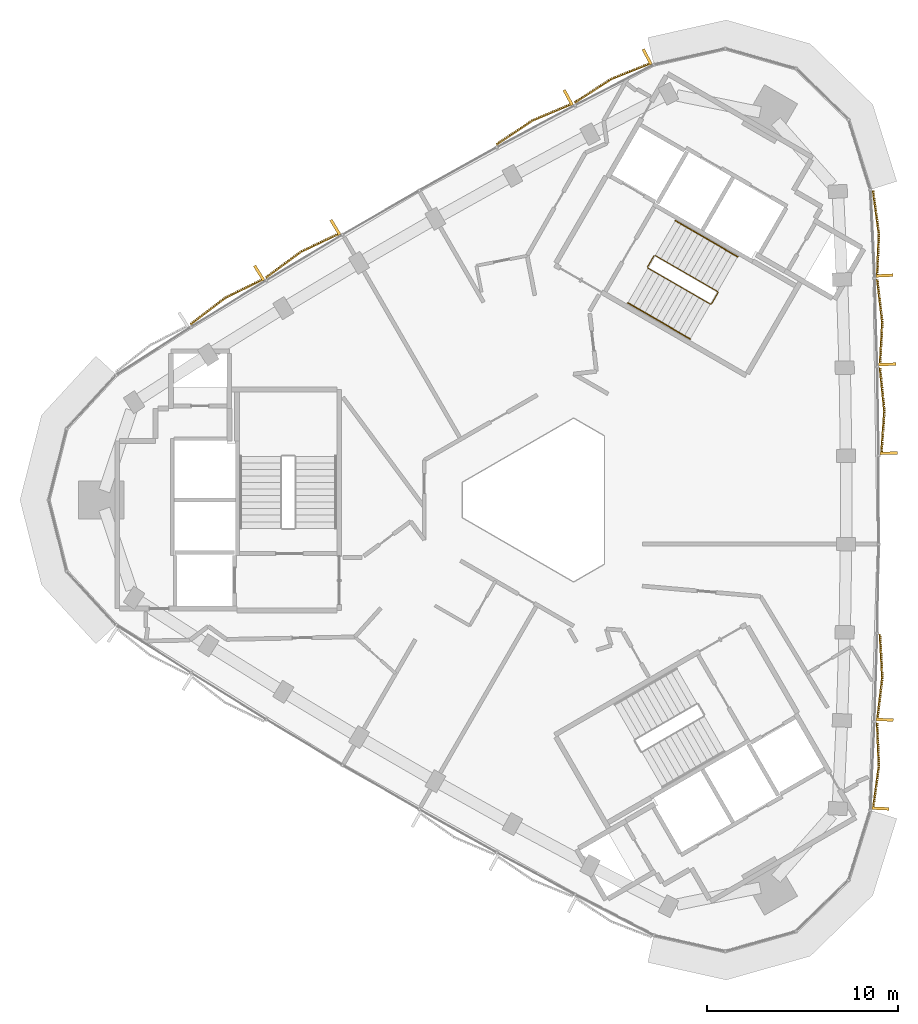
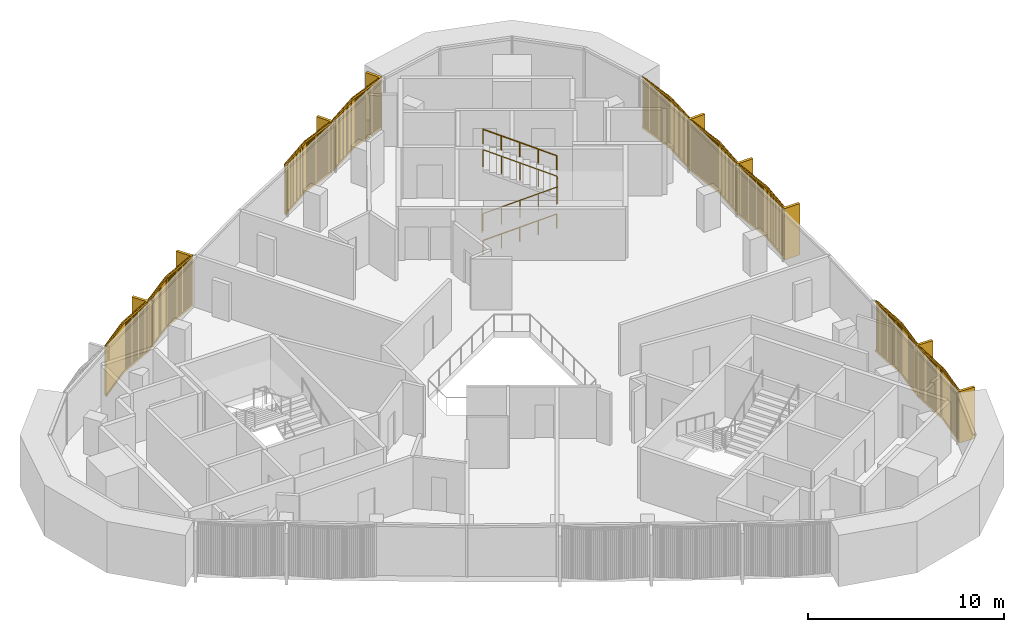
# One storey, part 12 of 13: 9 coverings, 3 railings.
"""IFC4 building model written with IfcOpenShell, lengths in metres."""

from ifc_helpers import new_model, si_unit, direction, frame, frame_2d, origin, origin_2d, place, context, subcontext, project, spatial, rectangle, circle, extrude, source, transform, mapped, material, type_object, element, save


model = new_model("IFC4")

# Units and contexts
model_context = context("Model", 3, precision=1e-05, world=origin(), true_north=direction((0.0, 1.0)))
body_context = subcontext(model_context, "Body", "Model", "MODEL_VIEW")
ifc_project = project(units=[si_unit("LENGTHUNIT", "METRE"), si_unit("AREAUNIT", "SQUARE_METRE"), si_unit("VOLUMEUNIT", "CUBIC_METRE"), si_unit("PLANEANGLEUNIT", "RADIAN"), si_unit("MASSUNIT", "GRAM", prefix="KILO")], contexts=[model_context])

# Site, building, storey
site_placement = place(None, origin())
site = spatial("IfcSite", under=ifc_project, at=site_placement, CompositionType="ELEMENT")
building_placement = place(site_placement, origin())
building = spatial("IfcBuilding", under=site, at=building_placement, Name="Tamra Quay Hotel Tower", CompositionType="ELEMENT")
storey_placement = place(building_placement, frame((0.0, 0.0, 298.199951171875)))
storey = spatial("IfcBuildingStorey", under=building, at=storey_placement, Name="L75", CompositionType="ELEMENT", Elevation=298.199951171875)

# Railings
ifc_material_1 = material(Name="Stair guard 1100")
railing_type_1 = type_object("IfcRailingType", Name="Stair guard 1100", PredefinedType="GUARDRAIL", material=ifc_material_1)
railing_1_placement = place(storey_placement, frame((5.595458984375, 12.751953125, 0.0)))
element("IfcRailing", 1, at=railing_1_placement, inside=storey, type_object=railing_type_1, Name="GR", PredefinedType="GUARDRAIL", context=body_context, shape_type="SweptSolid", body=[
    extrude(circle(Radius=0.02392578125, at=origin_2d()), frame((0.0, 0.0, 1.076171875), z_axis=(-0.499765215335, -0.866160914346, 0.0), x_axis=(0.866160914346, -0.499765215335, 0.0)), (0.0, 0.0, 1.0), 0.658935546875),
    extrude(circle(Radius=0.02392578125, at=origin_2d()), frame((-0.329345703125, -0.57080078125, 1.076171875), z_axis=(0.110378772244, -0.410609032747, 0.905105932399), x_axis=(0.965715946433, 0.259601060869, 0.0)), (0.0, 0.0, 1.0), 0.165771484375),
    extrude(circle(Radius=0.02392578125, at=origin_2d()), frame((-0.31103515625, -0.638916015625, 1.22607421875), z_axis=(0.793078462799, -0.457933869594, 0.401650498471), x_axis=(0.500040788363, 0.866001853331, 0.0)), (0.0, 0.0, 1.0), 4.10791015625),
    extrude(circle(Radius=0.02392578125, at=origin_2d()), frame((2.94677734375, -2.52001953125, 2.8759765625), z_axis=(0.965948051503, 0.258736085224, 0.0), x_axis=(-0.258736085224, 0.965948051503, 0.0)), (0.0, 0.0, 1.0), 0.07080078125),
    extrude(circle(Radius=0.02392578125, at=origin_2d()), frame((3.01513671875, -2.501708984375, 2.8759765625), z_axis=(0.500043078269, 0.866000531106, 0.0), x_axis=(-0.866000531106, 0.500043078269, 0.0)), (0.0, 0.0, 1.0), 0.6591796875),
    extrude(circle(Radius=0.02392578125, at=origin_2d()), frame((3.3447265625, -1.930908203125, 2.8759765625), z_axis=(-0.110525977783, 0.411156637351, 0.904839338113), x_axis=(-0.965715946433, -0.259601060869, 0.0)), (0.0, 0.0, 1.0), 0.165771484375),
    extrude(circle(Radius=0.02392578125, at=origin_2d()), frame((3.326416015625, -1.86279296875, 3.02587890625), z_axis=(-0.793081581205, 0.457901355053, 0.401681409319), x_axis=(-0.500012686397, -0.866018079166, 0.0)), (0.0, 0.0, 1.0), 4.108154296875),
    extrude(circle(Radius=0.02099609375, at=origin_2d()), origin(), (0.0, 0.0, 1.0), 1.052001953125),
    extrude(circle(Radius=0.02099609375, at=origin_2d()), frame((-0.329345703125, -0.57080078125, 0.0)), (0.0, 0.0, 1.0), 1.052001953125),
    extrude(circle(Radius=0.02099609375, at=origin_2d()), frame((-0.31103515625, -0.638916015625, 0.150146484375)), (0.0, 0.0, 1.0), 1.052001953125),
    extrude(circle(Radius=0.02099609375, at=origin_2d()), frame((0.50341796875, -1.109130859375, 0.5625)), (0.0, 0.0, 1.0), 1.052001953125),
    extrude(circle(Radius=0.02099609375, at=origin_2d()), frame((1.31787109375, -1.57958984375, 0.97509765625)), (0.0, 0.0, 1.0), 1.052001953125),
    extrude(circle(Radius=0.02099609375, at=origin_2d()), frame((2.13232421875, -2.0498046875, 1.3876953125)), (0.0, 0.0, 1.0), 1.052001953125),
    extrude(circle(Radius=0.02099609375, at=origin_2d()), frame((2.94677734375, -2.52001953125, 1.800048828125)), (0.0, 0.0, 1.0), 1.052001953125),
    extrude(circle(Radius=0.02099609375, at=origin_2d()), frame((3.01513671875, -2.501708984375, 1.800048828125)), (0.0, 0.0, 1.0), 1.052001953125),
    extrude(circle(Radius=0.02099609375, at=origin_2d()), frame((3.3447265625, -1.930908203125, 1.800048828125)), (0.0, 0.0, 1.0), 1.052001953125),
    extrude(circle(Radius=0.02099609375, at=origin_2d()), frame((3.326416015625, -1.86279296875, 1.949951171875)), (0.0, 0.0, 1.0), 1.052001953125),
    extrude(circle(Radius=0.02099609375, at=origin_2d()), frame((2.511962890625, -1.392578125, 2.362548828125)), (0.0, 0.0, 1.0), 1.052001953125),
    extrude(circle(Radius=0.02099609375, at=origin_2d()), frame((1.697265625, -0.92236328125, 2.77490234375)), (0.0, 0.0, 1.0), 1.052001953125),
    extrude(circle(Radius=0.02099609375, at=origin_2d()), frame((0.8828125, -0.451904296875, 3.1875)), (0.0, 0.0, 1.0), 1.052001953125),
    extrude(circle(Radius=0.02099609375, at=origin_2d()), frame((0.068359375, 0.018310546875, 3.60009765625)), (0.0, 0.0, 1.0), 1.052001953125),
])
ifc_material_2 = material(Name="Stair handrail 900")
railing_type_2 = type_object("IfcRailingType", Name="Stair handrail 900", PredefinedType="HANDRAIL", material=ifc_material_2)
railing_2_placement = place(storey_placement, frame((4.234375, 10.294189453125, 0.150146484375)))
element("IfcRailing", 2, at=railing_2_placement, inside=storey, type_object=railing_type_2, Name="HR", PredefinedType="HANDRAIL", context=body_context, shape_type="SweptSolid", body=[
    extrude(circle(Radius=0.02392578125, at=origin_2d()), frame((0.0, 0.0, 0.8759765625), z_axis=(0.793122095483, -0.45786531462, 0.401642496911), x_axis=(0.499964013922, 0.86604617936, 0.0)), (0.0, 0.0, 1.0), 4.10791015625),
    extrude(circle(Radius=0.02099609375, at=origin_2d()), origin(), (0.0, 0.0, 1.0), 0.851806640625),
    extrude(circle(Radius=0.02099609375, at=origin_2d()), frame((0.814453125, -0.47021484375, 0.41259765625)), (0.0, 0.0, 1.0), 0.851806640625),
    extrude(circle(Radius=0.02099609375, at=origin_2d()), frame((1.62890625, -0.9404296875, 0.824951171875)), (0.0, 0.0, 1.0), 0.851806640625),
    extrude(circle(Radius=0.02099609375, at=origin_2d()), frame((2.443603515625, -1.41064453125, 1.2373046875)), (0.0, 0.0, 1.0), 0.851806640625),
    extrude(circle(Radius=0.02099609375, at=origin_2d()), frame((3.258056640625, -1.880859375, 1.64990234375)), (0.0, 0.0, 1.0), 0.851806640625),
])
railing_3_placement = place(storey_placement, frame((9.971923828125, 12.7080078125, 1.949951171875)))
element("IfcRailing", 3, at=railing_3_placement, inside=storey, type_object=railing_type_2, Name="HR", PredefinedType="HANDRAIL", context=body_context, shape_type="SweptSolid", body=[
    extrude(circle(Radius=0.02392578125, at=origin_2d()), frame((0.0, 0.0, 0.8759765625), z_axis=(-0.793103162556, 0.457854384738, 0.401692339881), x_axis=(-0.499964013922, -0.86604617936, 0.0)), (0.0, 0.0, 1.0), 4.10791015625),
    extrude(circle(Radius=0.02099609375, at=origin_2d()), origin(), (0.0, 0.0, 1.0), 0.851806640625),
    extrude(circle(Radius=0.02099609375, at=origin_2d()), frame((-0.814453125, 0.47021484375, 0.41259765625)), (0.0, 0.0, 1.0), 0.851806640625),
    extrude(circle(Radius=0.02099609375, at=origin_2d()), frame((-1.62890625, 0.9404296875, 0.8251953125)), (0.0, 0.0, 1.0), 0.851806640625),
    extrude(circle(Radius=0.02099609375, at=origin_2d()), frame((-2.443603515625, 1.41064453125, 1.237548828125)), (0.0, 0.0, 1.0), 0.851806640625),
    extrude(circle(Radius=0.02099609375, at=origin_2d()), frame((-3.258056640625, 1.880859375, 1.650146484375)), (0.0, 0.0, 1.0), 0.851806640625),
])

# Coverings
ifc_material_3 = material(Name="Terracotta baguette extruded", Category="masonry")
covering_type_1 = type_object("IfcCoveringType", Name="BAGUETTE SCREEN E-V H3200", PredefinedType="USERDEFINED", material=ifc_material_3)
shared_shape_1 = source(origin(), body_context, "Body", "SweptSolid", [
    extrude(rectangle(XDim=2.28125, YDim=0.06005859375, at=frame_2d((1.140625, 0.030029296875))), frame((-2.27783203125, -0.057861328125, -0.1201171875), z_axis=(0.0, 0.0, 1.0), x_axis=(0.996194698092, -0.087155742748, 0.0)), (0.0, 0.0, 1.0), 0.1201171875),
    extrude(rectangle(XDim=2.28125, YDim=0.06005859375, at=frame_2d((1.140625, 0.030029296875))), frame((-2.27783203125, -0.057861328125, -3.199951171875), z_axis=(0.0, 0.0, 1.0), x_axis=(0.996194698092, -0.087155742748, 0.0)), (0.0, 0.0, 1.0), 0.1201171875),
    extrude(rectangle(XDim=0.070068359375, YDim=0.10009765625, at=frame_2d((0.03515625, 0.050048828125))), frame((-2.258056640625, -0.13232421875, -3.139892578125)), (0.0, 0.0, 1.0), 3.080078125),
    extrude(rectangle(XDim=0.070068359375, YDim=0.10009765625, at=frame_2d((0.03515625, 0.050048828125))), frame((-2.1591796875, -0.140869140625, -3.139892578125)), (0.0, 0.0, 1.0), 3.080078125),
    extrude(rectangle(XDim=0.070068359375, YDim=0.10009765625, at=frame_2d((0.03515625, 0.050048828125))), frame((-2.060546875, -0.149658203125, -3.139892578125)), (0.0, 0.0, 1.0), 3.080078125),
    extrude(rectangle(XDim=0.070068359375, YDim=0.10009765625, at=frame_2d((0.03515625, 0.050048828125))), frame((-1.961669921875, -0.158203125, -3.139892578125)), (0.0, 0.0, 1.0), 3.080078125),
    extrude(rectangle(XDim=0.070068359375, YDim=0.10009765625, at=frame_2d((0.03515625, 0.050048828125))), frame((-1.86279296875, -0.1669921875, -3.139892578125)), (0.0, 0.0, 1.0), 3.080078125),
    extrude(rectangle(XDim=0.070068359375, YDim=0.10009765625, at=frame_2d((0.03515625, 0.050048828125))), frame((-1.76416015625, -0.175537109375, -3.139892578125)), (0.0, 0.0, 1.0), 3.080078125),
    extrude(rectangle(XDim=0.070068359375, YDim=0.10009765625, at=frame_2d((0.03515625, 0.050048828125))), frame((-1.665283203125, -0.18408203125, -3.139892578125)), (0.0, 0.0, 1.0), 3.080078125),
    extrude(rectangle(XDim=0.070068359375, YDim=0.10009765625, at=frame_2d((0.03515625, 0.050048828125))), frame((-1.56640625, -0.19287109375, -3.139892578125)), (0.0, 0.0, 1.0), 3.080078125),
    extrude(rectangle(XDim=0.070068359375, YDim=0.10009765625, at=frame_2d((0.03515625, 0.050048828125))), frame((-1.4677734375, -0.201416015625, -3.139892578125)), (0.0, 0.0, 1.0), 3.080078125),
    extrude(rectangle(XDim=0.070068359375, YDim=0.10009765625, at=frame_2d((0.03515625, 0.050048828125))), frame((-1.368896484375, -0.210205078125, -3.139892578125)), (0.0, 0.0, 1.0), 3.080078125),
    extrude(rectangle(XDim=0.070068359375, YDim=0.10009765625, at=frame_2d((0.03515625, 0.050048828125))), frame((-1.27001953125, -0.21875, -3.139892578125)), (0.0, 0.0, 1.0), 3.080078125),
    extrude(rectangle(XDim=0.070068359375, YDim=0.10009765625, at=frame_2d((0.03515625, 0.050048828125))), frame((-1.171142578125, -0.227294921875, -3.139892578125)), (0.0, 0.0, 1.0), 3.080078125),
    extrude(rectangle(XDim=0.070068359375, YDim=0.10009765625, at=frame_2d((0.03515625, 0.050048828125))), frame((-1.072509765625, -0.236083984375, -3.139892578125)), (0.0, 0.0, 1.0), 3.080078125),
    extrude(rectangle(XDim=0.070068359375, YDim=0.10009765625, at=frame_2d((0.03515625, 0.050048828125))), frame((-0.9736328125, -0.24462890625, -3.139892578125)), (0.0, 0.0, 1.0), 3.080078125),
    extrude(rectangle(XDim=0.070068359375, YDim=0.10009765625, at=frame_2d((0.03515625, 0.050048828125))), frame((-0.874755859375, -0.25341796875, -3.139892578125)), (0.0, 0.0, 1.0), 3.080078125),
    extrude(rectangle(XDim=0.070068359375, YDim=0.10009765625, at=frame_2d((0.03515625, 0.050048828125))), frame((-0.776123046875, -0.261962890625, -3.139892578125)), (0.0, 0.0, 1.0), 3.080078125),
    extrude(rectangle(XDim=0.070068359375, YDim=0.10009765625, at=frame_2d((0.03515625, 0.050048828125))), frame((-0.67724609375, -0.270751953125, -3.139892578125)), (0.0, 0.0, 1.0), 3.080078125),
    extrude(rectangle(XDim=0.070068359375, YDim=0.10009765625, at=frame_2d((0.03515625, 0.050048828125))), frame((-0.578369140625, -0.279296875, -3.139892578125)), (0.0, 0.0, 1.0), 3.080078125),
    extrude(rectangle(XDim=0.070068359375, YDim=0.10009765625, at=frame_2d((0.03515625, 0.050048828125))), frame((-0.479736328125, -0.287841796875, -3.139892578125)), (0.0, 0.0, 1.0), 3.080078125),
    extrude(rectangle(XDim=0.070068359375, YDim=0.10009765625, at=frame_2d((0.03515625, 0.050048828125))), frame((-0.380859375, -0.296630859375, -3.139892578125)), (0.0, 0.0, 1.0), 3.080078125),
    extrude(rectangle(XDim=0.070068359375, YDim=0.10009765625, at=frame_2d((0.03515625, 0.050048828125))), frame((-0.281982421875, -0.30517578125, -3.139892578125)), (0.0, 0.0, 1.0), 3.080078125),
    extrude(rectangle(XDim=0.070068359375, YDim=0.10009765625, at=frame_2d((0.03515625, 0.050048828125))), frame((-0.18310546875, -0.31396484375, -3.139892578125)), (0.0, 0.0, 1.0), 3.080078125),
    extrude(rectangle(XDim=0.070068359375, YDim=0.10009765625, at=frame_2d((0.03515625, 0.050048828125))), frame((-0.08447265625, -0.322509765625, -3.139892578125)), (0.0, 0.0, 1.0), 3.080078125),
    extrude(rectangle(XDim=2.28125, YDim=0.06005859375, at=frame_2d((1.140625, 0.030029296875))), frame((0.005126953125, -0.256591796875, -0.1201171875), z_axis=(0.0, 0.0, 1.0), x_axis=(0.996194698092, 0.087155742748, 0.0)), (0.0, 0.0, 1.0), 0.1201171875),
    extrude(rectangle(XDim=2.28125, YDim=0.06005859375, at=frame_2d((1.140625, 0.030029296875))), frame((0.005126953125, -0.256591796875, -3.199951171875), z_axis=(0.0, 0.0, 1.0), x_axis=(0.996194698092, 0.087155742748, 0.0)), (0.0, 0.0, 1.0), 0.1201171875),
    extrude(rectangle(XDim=0.070068359375, YDim=0.10009765625, at=frame_2d((0.03515625, 0.050048828125))), frame((0.014404296875, -0.322509765625, -3.139892578125)), (0.0, 0.0, 1.0), 3.080078125),
    extrude(rectangle(XDim=0.070068359375, YDim=0.10009765625, at=frame_2d((0.03515625, 0.050048828125))), frame((0.11328125, -0.31396484375, -3.139892578125)), (0.0, 0.0, 1.0), 3.080078125),
    extrude(rectangle(XDim=0.070068359375, YDim=0.10009765625, at=frame_2d((0.03515625, 0.050048828125))), frame((0.2119140625, -0.30517578125, -3.139892578125)), (0.0, 0.0, 1.0), 3.080078125),
    extrude(rectangle(XDim=0.070068359375, YDim=0.10009765625, at=frame_2d((0.03515625, 0.050048828125))), frame((0.310791015625, -0.296630859375, -3.139892578125)), (0.0, 0.0, 1.0), 3.080078125),
    extrude(rectangle(XDim=0.070068359375, YDim=0.10009765625, at=frame_2d((0.03515625, 0.050048828125))), frame((0.40966796875, -0.287841796875, -3.139892578125)), (0.0, 0.0, 1.0), 3.080078125),
    extrude(rectangle(XDim=0.070068359375, YDim=0.10009765625, at=frame_2d((0.03515625, 0.050048828125))), frame((0.50830078125, -0.279296875, -3.139892578125)), (0.0, 0.0, 1.0), 3.080078125),
    extrude(rectangle(XDim=0.070068359375, YDim=0.10009765625, at=frame_2d((0.03515625, 0.050048828125))), frame((0.607177734375, -0.270751953125, -3.139892578125)), (0.0, 0.0, 1.0), 3.080078125),
    extrude(rectangle(XDim=0.070068359375, YDim=0.10009765625, at=frame_2d((0.03515625, 0.050048828125))), frame((0.7060546875, -0.261962890625, -3.139892578125)), (0.0, 0.0, 1.0), 3.080078125),
    extrude(rectangle(XDim=0.070068359375, YDim=0.10009765625, at=frame_2d((0.03515625, 0.050048828125))), frame((0.804931640625, -0.25341796875, -3.139892578125)), (0.0, 0.0, 1.0), 3.080078125),
    extrude(rectangle(XDim=0.070068359375, YDim=0.10009765625, at=frame_2d((0.03515625, 0.050048828125))), frame((0.903564453125, -0.24462890625, -3.139892578125)), (0.0, 0.0, 1.0), 3.080078125),
    extrude(rectangle(XDim=0.070068359375, YDim=0.10009765625, at=frame_2d((0.03515625, 0.050048828125))), frame((1.00244140625, -0.236083984375, -3.139892578125)), (0.0, 0.0, 1.0), 3.080078125),
    extrude(rectangle(XDim=0.070068359375, YDim=0.10009765625, at=frame_2d((0.03515625, 0.050048828125))), frame((1.101318359375, -0.227294921875, -3.139892578125)), (0.0, 0.0, 1.0), 3.080078125),
    extrude(rectangle(XDim=0.070068359375, YDim=0.10009765625, at=frame_2d((0.03515625, 0.050048828125))), frame((1.199951171875, -0.21875, -3.139892578125)), (0.0, 0.0, 1.0), 3.080078125),
    extrude(rectangle(XDim=0.070068359375, YDim=0.10009765625, at=frame_2d((0.03515625, 0.050048828125))), frame((1.298828125, -0.210205078125, -3.139892578125)), (0.0, 0.0, 1.0), 3.080078125),
    extrude(rectangle(XDim=0.070068359375, YDim=0.10009765625, at=frame_2d((0.03515625, 0.050048828125))), frame((1.397705078125, -0.201416015625, -3.139892578125)), (0.0, 0.0, 1.0), 3.080078125),
    extrude(rectangle(XDim=0.070068359375, YDim=0.10009765625, at=frame_2d((0.03515625, 0.050048828125))), frame((1.49658203125, -0.19287109375, -3.139892578125)), (0.0, 0.0, 1.0), 3.080078125),
    extrude(rectangle(XDim=0.070068359375, YDim=0.10009765625, at=frame_2d((0.03515625, 0.050048828125))), frame((1.59521484375, -0.18408203125, -3.139892578125)), (0.0, 0.0, 1.0), 3.080078125),
    extrude(rectangle(XDim=0.070068359375, YDim=0.10009765625, at=frame_2d((0.03515625, 0.050048828125))), frame((1.694091796875, -0.175537109375, -3.139892578125)), (0.0, 0.0, 1.0), 3.080078125),
    extrude(rectangle(XDim=0.070068359375, YDim=0.10009765625, at=frame_2d((0.03515625, 0.050048828125))), frame((1.79296875, -0.1669921875, -3.139892578125)), (0.0, 0.0, 1.0), 3.080078125),
    extrude(rectangle(XDim=0.070068359375, YDim=0.10009765625, at=frame_2d((0.03515625, 0.050048828125))), frame((1.8916015625, -0.158203125, -3.139892578125)), (0.0, 0.0, 1.0), 3.080078125),
    extrude(rectangle(XDim=0.070068359375, YDim=0.10009765625, at=frame_2d((0.03515625, 0.050048828125))), frame((1.990478515625, -0.149658203125, -3.139892578125)), (0.0, 0.0, 1.0), 3.080078125),
    extrude(rectangle(XDim=0.070068359375, YDim=0.10009765625, at=frame_2d((0.03515625, 0.050048828125))), frame((2.08935546875, -0.140869140625, -3.139892578125)), (0.0, 0.0, 1.0), 3.080078125),
    extrude(rectangle(XDim=0.070068359375, YDim=0.10009765625, at=frame_2d((0.03515625, 0.050048828125))), frame((2.18798828125, -0.13232421875, -3.139892578125)), (0.0, 0.0, 1.0), 3.080078125),
    extrude(rectangle(XDim=0.14990234375, YDim=0.902099609375, at=frame_2d((0.074951171875, 0.451171875))), frame((-2.2724609375, -0.89990234375, -3.199951171875)), (0.0, 0.0, 1.0), 3.199951171875),
])
for number, where, z_axis, x_axis, name in (
    (4, (17.08642578125, -13.899169921875, 3.199951171875), (0.0, 0.0, 1.0), (0.04682126455, 0.998903283199, 0.0), "Baguette screen L75.E.f00"),
    (5, (17.267333984375, -9.26806640625, 3.199951171875), (0.0, 0.0, 1.0), (0.031241804319, 0.999511855689, 0.0), "Baguette screen L75.E.f01"),
    (6, (17.3759765625, 4.634765625, 3.199951171875), (0.0, 0.0, 1.0), (-0.01563239478, 0.999877806651, 0.0), "Baguette screen L75.E.f04"),
    (7, (17.267333984375, 9.26806640625, 3.199951171875), (0.0, 0.0, 1.0), (-0.031241804319, 0.999511855689, 0.0), "Baguette screen L75.E.f05"),
    (8, (17.08642578125, 13.899169921875, 3.199951171875), (0.0, 0.0, 1.0), (-0.04682126455, 0.998903283199, 0.0), "Baguette screen L75.E.f06"),
):
    element("IfcCovering", number, at=place(storey_placement, frame(where, z_axis=z_axis, x_axis=x_axis)), inside=storey, type_object=covering_type_1, Name=name, ObjectType="BAGUETTE SCREEN", PredefinedType="USERDEFINED", context=body_context, shape_type="MappedRepresentation", body=[
        mapped(shared_shape_1, transform((0.0, 0.0, 0.0), scale=1.0)),
    ])
covering_type_2 = type_object("IfcCoveringType", Name="BAGUETTE SCREEN NW-V H3200", PredefinedType="USERDEFINED", material=ifc_material_3)
shared_shape_2 = source(origin(), body_context, "Body", "SweptSolid", [
    extrude(rectangle(XDim=2.282958984375, YDim=0.06005859375, at=frame_2d((1.1416015625, 0.030029296875))), frame((-2.2783203125, -0.0576171875, -0.1201171875), z_axis=(0.0, 0.0, 1.0), x_axis=(0.995396198367, -0.09584575252, 0.0)), (0.0, 0.0, 1.0), 0.1201171875),
    extrude(rectangle(XDim=2.282958984375, YDim=0.06005859375, at=frame_2d((1.1416015625, 0.030029296875))), frame((-2.2783203125, -0.0576171875, -3.199951171875), z_axis=(0.0, 0.0, 1.0), x_axis=(0.995396198367, -0.09584575252, 0.0)), (0.0, 0.0, 1.0), 0.1201171875),
    extrude(rectangle(XDim=0.070068359375, YDim=0.10009765625, at=frame_2d((0.03515625, 0.050048828125))), frame((-2.258056640625, -0.1328125, -3.139892578125)), (0.0, 0.0, 1.0), 3.080078125),
    extrude(rectangle(XDim=0.070068359375, YDim=0.10009765625, at=frame_2d((0.03515625, 0.050048828125))), frame((-2.1591796875, -0.142333984375, -3.139892578125)), (0.0, 0.0, 1.0), 3.080078125),
    extrude(rectangle(XDim=0.070068359375, YDim=0.10009765625, at=frame_2d((0.03515625, 0.050048828125))), frame((-2.060546875, -0.15185546875, -3.139892578125)), (0.0, 0.0, 1.0), 3.080078125),
    extrude(rectangle(XDim=0.070068359375, YDim=0.10009765625, at=frame_2d((0.03515625, 0.050048828125))), frame((-1.961669921875, -0.161376953125, -3.139892578125)), (0.0, 0.0, 1.0), 3.080078125),
    extrude(rectangle(XDim=0.070068359375, YDim=0.10009765625, at=frame_2d((0.03515625, 0.050048828125))), frame((-1.86279296875, -0.1708984375, -3.139892578125)), (0.0, 0.0, 1.0), 3.080078125),
    extrude(rectangle(XDim=0.070068359375, YDim=0.10009765625, at=frame_2d((0.03515625, 0.050048828125))), frame((-1.76416015625, -0.180419921875, -3.139892578125)), (0.0, 0.0, 1.0), 3.080078125),
    extrude(rectangle(XDim=0.070068359375, YDim=0.10009765625, at=frame_2d((0.03515625, 0.050048828125))), frame((-1.665283203125, -0.18994140625, -3.139892578125)), (0.0, 0.0, 1.0), 3.080078125),
    extrude(rectangle(XDim=0.070068359375, YDim=0.10009765625, at=frame_2d((0.03515625, 0.050048828125))), frame((-1.56640625, -0.199462890625, -3.139892578125)), (0.0, 0.0, 1.0), 3.080078125),
    extrude(rectangle(XDim=0.070068359375, YDim=0.10009765625, at=frame_2d((0.03515625, 0.050048828125))), frame((-1.4677734375, -0.208984375, -3.139892578125)), (0.0, 0.0, 1.0), 3.080078125),
    extrude(rectangle(XDim=0.070068359375, YDim=0.10009765625, at=frame_2d((0.03515625, 0.050048828125))), frame((-1.368896484375, -0.21826171875, -3.139892578125)), (0.0, 0.0, 1.0), 3.080078125),
    extrude(rectangle(XDim=0.070068359375, YDim=0.10009765625, at=frame_2d((0.03515625, 0.050048828125))), frame((-1.27001953125, -0.227783203125, -3.139892578125)), (0.0, 0.0, 1.0), 3.080078125),
    extrude(rectangle(XDim=0.070068359375, YDim=0.10009765625, at=frame_2d((0.03515625, 0.050048828125))), frame((-1.171142578125, -0.2373046875, -3.139892578125)), (0.0, 0.0, 1.0), 3.080078125),
    extrude(rectangle(XDim=0.070068359375, YDim=0.10009765625, at=frame_2d((0.03515625, 0.050048828125))), frame((-1.072509765625, -0.246826171875, -3.139892578125)), (0.0, 0.0, 1.0), 3.080078125),
    extrude(rectangle(XDim=0.070068359375, YDim=0.10009765625, at=frame_2d((0.03515625, 0.050048828125))), frame((-0.9736328125, -0.25634765625, -3.139892578125)), (0.0, 0.0, 1.0), 3.080078125),
    extrude(rectangle(XDim=0.070068359375, YDim=0.10009765625, at=frame_2d((0.03515625, 0.050048828125))), frame((-0.874755859375, -0.265869140625, -3.139892578125)), (0.0, 0.0, 1.0), 3.080078125),
    extrude(rectangle(XDim=0.070068359375, YDim=0.10009765625, at=frame_2d((0.03515625, 0.050048828125))), frame((-0.776123046875, -0.275390625, -3.139892578125)), (0.0, 0.0, 1.0), 3.080078125),
    extrude(rectangle(XDim=0.070068359375, YDim=0.10009765625, at=frame_2d((0.03515625, 0.050048828125))), frame((-0.67724609375, -0.284912109375, -3.139892578125)), (0.0, 0.0, 1.0), 3.080078125),
    extrude(rectangle(XDim=0.070068359375, YDim=0.10009765625, at=frame_2d((0.03515625, 0.050048828125))), frame((-0.578369140625, -0.29443359375, -3.139892578125)), (0.0, 0.0, 1.0), 3.080078125),
    extrude(rectangle(XDim=0.070068359375, YDim=0.10009765625, at=frame_2d((0.03515625, 0.050048828125))), frame((-0.479736328125, -0.303955078125, -3.139892578125)), (0.0, 0.0, 1.0), 3.080078125),
    extrude(rectangle(XDim=0.070068359375, YDim=0.10009765625, at=frame_2d((0.03515625, 0.050048828125))), frame((-0.380859375, -0.3134765625, -3.139892578125)), (0.0, 0.0, 1.0), 3.080078125),
    extrude(rectangle(XDim=0.070068359375, YDim=0.10009765625, at=frame_2d((0.03515625, 0.050048828125))), frame((-0.281982421875, -0.322998046875, -3.139892578125)), (0.0, 0.0, 1.0), 3.080078125),
    extrude(rectangle(XDim=0.070068359375, YDim=0.10009765625, at=frame_2d((0.03515625, 0.050048828125))), frame((-0.18310546875, -0.33251953125, -3.139892578125)), (0.0, 0.0, 1.0), 3.080078125),
    extrude(rectangle(XDim=0.070068359375, YDim=0.10009765625, at=frame_2d((0.03515625, 0.050048828125))), frame((-0.08447265625, -0.342041015625, -3.139892578125)), (0.0, 0.0, 1.0), 3.080078125),
    extrude(rectangle(XDim=2.282958984375, YDim=0.06005859375, at=frame_2d((1.1416015625, 0.030029296875))), frame((0.005859375, -0.276611328125, -0.1201171875), z_axis=(0.0, 0.0, 1.0), x_axis=(0.995396198367, 0.09584575252, 0.0)), (0.0, 0.0, 1.0), 0.1201171875),
    extrude(rectangle(XDim=2.282958984375, YDim=0.06005859375, at=frame_2d((1.1416015625, 0.030029296875))), frame((0.005859375, -0.276611328125, -3.199951171875), z_axis=(0.0, 0.0, 1.0), x_axis=(0.995396198367, 0.09584575252, 0.0)), (0.0, 0.0, 1.0), 0.1201171875),
    extrude(rectangle(XDim=0.070068359375, YDim=0.10009765625, at=frame_2d((0.03515625, 0.050048828125))), frame((0.014404296875, -0.342041015625, -3.139892578125)), (0.0, 0.0, 1.0), 3.080078125),
    extrude(rectangle(XDim=0.070068359375, YDim=0.10009765625, at=frame_2d((0.03515625, 0.050048828125))), frame((0.11328125, -0.33251953125, -3.139892578125)), (0.0, 0.0, 1.0), 3.080078125),
    extrude(rectangle(XDim=0.070068359375, YDim=0.10009765625, at=frame_2d((0.03515625, 0.050048828125))), frame((0.2119140625, -0.322998046875, -3.139892578125)), (0.0, 0.0, 1.0), 3.080078125),
    extrude(rectangle(XDim=0.070068359375, YDim=0.10009765625, at=frame_2d((0.03515625, 0.050048828125))), frame((0.310791015625, -0.3134765625, -3.139892578125)), (0.0, 0.0, 1.0), 3.080078125),
    extrude(rectangle(XDim=0.070068359375, YDim=0.10009765625, at=frame_2d((0.03515625, 0.050048828125))), frame((0.40966796875, -0.303955078125, -3.139892578125)), (0.0, 0.0, 1.0), 3.080078125),
    extrude(rectangle(XDim=0.070068359375, YDim=0.10009765625, at=frame_2d((0.03515625, 0.050048828125))), frame((0.50830078125, -0.29443359375, -3.139892578125)), (0.0, 0.0, 1.0), 3.080078125),
    extrude(rectangle(XDim=0.070068359375, YDim=0.10009765625, at=frame_2d((0.03515625, 0.050048828125))), frame((0.607177734375, -0.284912109375, -3.139892578125)), (0.0, 0.0, 1.0), 3.080078125),
    extrude(rectangle(XDim=0.070068359375, YDim=0.10009765625, at=frame_2d((0.03515625, 0.050048828125))), frame((0.7060546875, -0.275390625, -3.139892578125)), (0.0, 0.0, 1.0), 3.080078125),
    extrude(rectangle(XDim=0.070068359375, YDim=0.10009765625, at=frame_2d((0.03515625, 0.050048828125))), frame((0.804931640625, -0.265869140625, -3.139892578125)), (0.0, 0.0, 1.0), 3.080078125),
    extrude(rectangle(XDim=0.070068359375, YDim=0.10009765625, at=frame_2d((0.03515625, 0.050048828125))), frame((0.903564453125, -0.25634765625, -3.139892578125)), (0.0, 0.0, 1.0), 3.080078125),
    extrude(rectangle(XDim=0.070068359375, YDim=0.10009765625, at=frame_2d((0.03515625, 0.050048828125))), frame((1.00244140625, -0.246826171875, -3.139892578125)), (0.0, 0.0, 1.0), 3.080078125),
    extrude(rectangle(XDim=0.070068359375, YDim=0.10009765625, at=frame_2d((0.03515625, 0.050048828125))), frame((1.101318359375, -0.2373046875, -3.139892578125)), (0.0, 0.0, 1.0), 3.080078125),
    extrude(rectangle(XDim=0.070068359375, YDim=0.10009765625, at=frame_2d((0.03515625, 0.050048828125))), frame((1.199951171875, -0.227783203125, -3.139892578125)), (0.0, 0.0, 1.0), 3.080078125),
    extrude(rectangle(XDim=0.070068359375, YDim=0.10009765625, at=frame_2d((0.03515625, 0.050048828125))), frame((1.298828125, -0.21826171875, -3.139892578125)), (0.0, 0.0, 1.0), 3.080078125),
    extrude(rectangle(XDim=0.070068359375, YDim=0.10009765625, at=frame_2d((0.03515625, 0.050048828125))), frame((1.397705078125, -0.208984375, -3.139892578125)), (0.0, 0.0, 1.0), 3.080078125),
    extrude(rectangle(XDim=0.070068359375, YDim=0.10009765625, at=frame_2d((0.03515625, 0.050048828125))), frame((1.49658203125, -0.199462890625, -3.139892578125)), (0.0, 0.0, 1.0), 3.080078125),
    extrude(rectangle(XDim=0.070068359375, YDim=0.10009765625, at=frame_2d((0.03515625, 0.050048828125))), frame((1.59521484375, -0.18994140625, -3.139892578125)), (0.0, 0.0, 1.0), 3.080078125),
    extrude(rectangle(XDim=0.070068359375, YDim=0.10009765625, at=frame_2d((0.03515625, 0.050048828125))), frame((1.694091796875, -0.180419921875, -3.139892578125)), (0.0, 0.0, 1.0), 3.080078125),
    extrude(rectangle(XDim=0.070068359375, YDim=0.10009765625, at=frame_2d((0.03515625, 0.050048828125))), frame((1.79296875, -0.1708984375, -3.139892578125)), (0.0, 0.0, 1.0), 3.080078125),
    extrude(rectangle(XDim=0.070068359375, YDim=0.10009765625, at=frame_2d((0.03515625, 0.050048828125))), frame((1.8916015625, -0.161376953125, -3.139892578125)), (0.0, 0.0, 1.0), 3.080078125),
    extrude(rectangle(XDim=0.070068359375, YDim=0.10009765625, at=frame_2d((0.03515625, 0.050048828125))), frame((1.990478515625, -0.15185546875, -3.139892578125)), (0.0, 0.0, 1.0), 3.080078125),
    extrude(rectangle(XDim=0.070068359375, YDim=0.10009765625, at=frame_2d((0.03515625, 0.050048828125))), frame((2.08935546875, -0.142333984375, -3.139892578125)), (0.0, 0.0, 1.0), 3.080078125),
    extrude(rectangle(XDim=0.070068359375, YDim=0.10009765625, at=frame_2d((0.03515625, 0.050048828125))), frame((2.18798828125, -0.1328125, -3.139892578125)), (0.0, 0.0, 1.0), 3.080078125),
    extrude(rectangle(XDim=0.14990234375, YDim=0.902099609375, at=frame_2d((0.074951171875, 0.451171875))), frame((-2.2724609375, -0.89990234375, -3.199951171875)), (0.0, 0.0, 1.0), 3.199951171875),
])
for number, where, z_axis, x_axis, name in (
    (9, (3.493896484375, 21.746826171875, 3.199951171875), (0.0, 0.0, 1.0), (-0.888486251449, -0.458903237062, 0.0), "Baguette screen L75.NW.f00"),
    (10, (-0.607177734375, 19.587890625, 3.199951171875), (0.0, 0.0, 1.0), (-0.88122356057, -0.472699731644, 0.0), "Baguette screen L75.NW.f01"),
    (11, (-12.701904296875, 12.73046875, 3.199951171875), (0.0, 0.0, 1.0), (-0.85810338385, -0.513476954327, 0.0), "Baguette screen L75.NW.f04"),
    (12, (-16.659912109375, 10.31982421875, 3.199951171875), (0.0, 0.0, 1.0), (-0.849981756251, -0.526812124045, 0.0), "Baguette screen L75.NW.f05"),
):
    element("IfcCovering", number, at=place(storey_placement, frame(where, z_axis=z_axis, x_axis=x_axis)), inside=storey, type_object=covering_type_2, Name=name, ObjectType="BAGUETTE SCREEN", PredefinedType="USERDEFINED", context=body_context, shape_type="MappedRepresentation", body=[
        mapped(shared_shape_2, transform((0.0, 0.0, 0.0), scale=1.0)),
    ])

save(model, "model.ifc")
